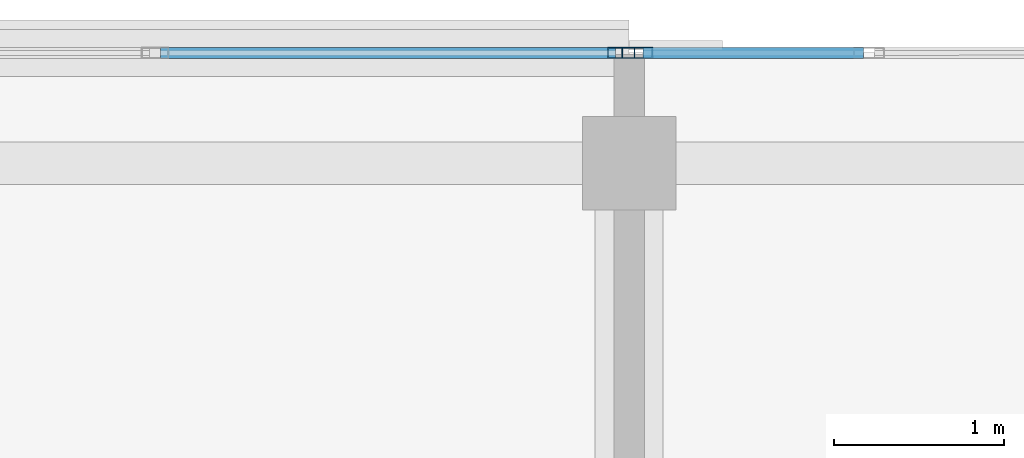
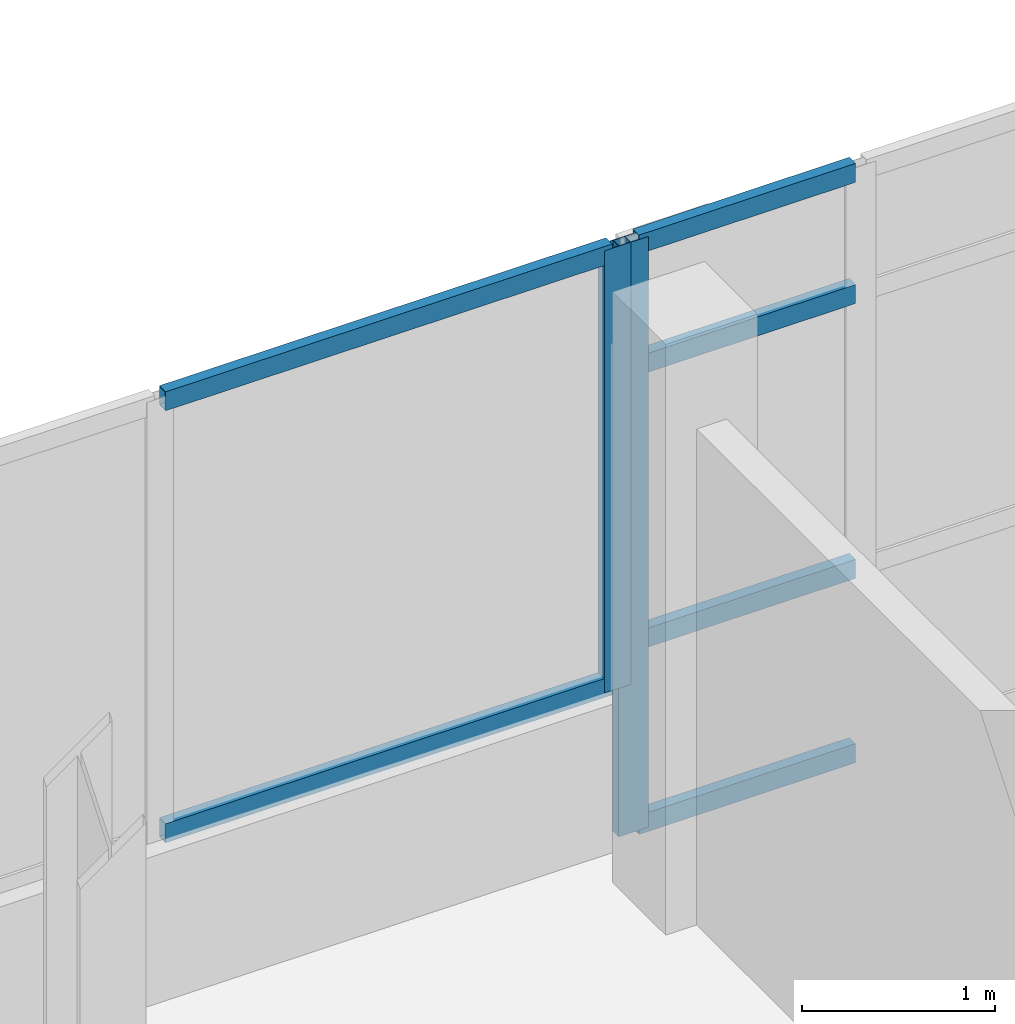
# One storey, part 27 of 67: 8 members, 2 elements without a shape of their own.
"""IFC4 building model written with IfcOpenShell, lengths in metres."""

import ifcopenshell
import ifcopenshell.guid

model = None  # the IFC model being written
_history = None  # IfcOwnerHistory: only IFC2X3 demands one
_inside = {}  # id of a spatial element -> (the spatial element, [elements in it])
_under = {}  # id of a project, library or spatial element -> (it, [spatial elements below it])
_declared = {}  # id of a project -> (the project, [libraries it declares])
_typed = {}  # id of a type object -> (the type object, [elements of that type])
_made_of = {}  # id of a material, layer set ... -> (it, [elements and type objects made of it])


def new_model(schema):
    """Start an empty IFC model of exactly this schema.

    Asked for "IFC4X3", IfcOpenShell would pick the latest addendum, in which some entities
    have other attributes; the version numbers below select the first issue.
    IFC2X3 requires an IfcOwnerHistory on every rooted entity: one is made here for all.
    """
    global model, _history
    if schema == "IFC4X3":
        model = ifcopenshell.file(schema_version=(4, 3, 0, 0))
    else:
        model = ifcopenshell.file(schema=schema)
    _inside.clear()
    _under.clear()
    _declared.clear()
    _typed.clear()
    _made_of.clear()
    _history = None
    if model.schema == "IFC2X3":
        org = make("IfcOrganization", Name="unknown")
        user = make(
            "IfcPersonAndOrganization",
            ThePerson=make("IfcPerson", FamilyName="unknown"),
            TheOrganization=org,
        )
        app = make(
            "IfcApplication",
            ApplicationDeveloper=org,
            Version="unknown",
            ApplicationFullName="unknown",
            ApplicationIdentifier="unknown",
        )
        _history = make(
            "IfcOwnerHistory",
            OwningUser=user,
            OwningApplication=app,
            ChangeAction="ADDED",
            CreationDate=0,
        )
    return model


def make(cls, **values):
    """One entity of the class cls with the attributes given. An attribute that is None is left unset."""
    return model.create_entity(
        cls, **{name: value for name, value in values.items() if value is not None}
    )


def rooted(cls, **values):
    """An entity with a GlobalId (a new one), such as an element, a storey or a relation."""
    return make(cls, GlobalId=ifcopenshell.guid.new(), OwnerHistory=_history, **values)


def si_unit(unit_type, name, prefix=None):
    """IfcSIUnit, for example si_unit("LENGTHUNIT", "METRE", prefix="MILLI")."""
    return make("IfcSIUnit", UnitType=unit_type, Prefix=prefix, Name=name)


def assignment(units):
    """IfcUnitAssignment: the units of a project."""
    return None if units is None else make("IfcUnitAssignment", Units=units)


def point(xyz):
    """IfcCartesianPoint."""
    return None if xyz is None else make("IfcCartesianPoint", Coordinates=xyz)


def direction(xyz):
    """IfcDirection."""
    return None if xyz is None else make("IfcDirection", DirectionRatios=xyz)


def frame(location, z_axis=None, x_axis=None):
    """IfcAxis2Placement3D, a coordinate frame: its origin and axes. An axis left out is left unset."""
    return make(
        "IfcAxis2Placement3D",
        Location=point(location),
        Axis=direction(z_axis),
        RefDirection=direction(x_axis),
    )


def frame_2d(location, x_axis=None):
    """IfcAxis2Placement2D, a coordinate frame in the plane: its origin and x axis."""
    return make(
        "IfcAxis2Placement2D", Location=point(location), RefDirection=direction(x_axis)
    )


def origin():
    """The frame at (0, 0, 0) with its axes left unset."""
    return frame((0.0, 0.0, 0.0))


def origin_2d():
    """The frame at (0, 0) in the plane with its x axis left unset."""
    return frame_2d((0.0, 0.0))


def place(relative_to, where):
    """IfcLocalPlacement: puts the frame where relative to a parent placement (None: the world)."""
    return make(
        "IfcLocalPlacement", PlacementRelTo=relative_to, RelativePlacement=where
    )


def context(
    kind, dimensions, precision=None, world=None, true_north=None, identifier=None
):
    """IfcGeometricRepresentationContext, for example the 3D "Model" context."""
    return make(
        "IfcGeometricRepresentationContext",
        ContextIdentifier=identifier,
        ContextType=kind,
        CoordinateSpaceDimension=dimensions,
        Precision=precision,
        WorldCoordinateSystem=world,
        TrueNorth=true_north,
    )


def subcontext(parent, identifier, kind, view, scale=None):
    """IfcGeometricRepresentationSubContext, for example "Body" below "Model"."""
    return make(
        "IfcGeometricRepresentationSubContext",
        ContextIdentifier=identifier,
        ContextType=kind,
        ParentContext=parent,
        TargetScale=scale,
        TargetView=view,
    )


def project(units=None, contexts=None):
    """IfcProject with its units and contexts."""
    return rooted(
        "IfcProject",
        Name="project",
        RepresentationContexts=contexts,
        UnitsInContext=assignment(units),
    )


def spatial(cls, under=None, at=None, **own):
    """A site, building, storey or space (cls), placed at a placement, below another one or the project."""
    s = rooted(cls, ObjectPlacement=at, **own)
    if under is not None:
        _under.setdefault(under.id(), (under, []))[1].append(s)
    return s


def profile(cls, at=None, kind="AREA", **sizes):
    """A parametric profile (cls). Its sizes go by their IFC names, for example OverallWidth=200.0."""
    return make(cls, ProfileType=kind, Position=at, **sizes)


def hollow_rectangle(**sizes):
    """IfcRectangleHollowProfileDef."""
    return profile("IfcRectangleHollowProfileDef", **sizes)


def extrude(swept, where, along, depth):
    """IfcExtrudedAreaSolid: the profile swept, set in the frame where, extruded along a direction by depth."""
    return make(
        "IfcExtrudedAreaSolid",
        SweptArea=swept,
        Position=where,
        ExtrudedDirection=direction(along),
        Depth=depth,
    )


def shape(context_of_items, identifier, shape_type, items):
    """IfcShapeRepresentation: the items that make up one representation, for example the "Body"."""
    return make(
        "IfcShapeRepresentation",
        ContextOfItems=context_of_items,
        RepresentationIdentifier=identifier,
        RepresentationType=shape_type,
        Items=items,
    )


def material(Name=None, Category=None):
    """IfcMaterial."""
    return make("IfcMaterial", Name=Name, Category=Category)


def material_profile(
    of_material, cross_section, Name=None, Category=None, Priority=None
):
    """IfcMaterialProfile: a cross section and its material."""
    return make(
        "IfcMaterialProfile",
        Name=Name,
        Material=of_material,
        Profile=cross_section,
        Priority=Priority,
        Category=Category,
    )


def profile_set(profiles, Name=None, composite=None):
    """IfcMaterialProfileSet."""
    return make(
        "IfcMaterialProfileSet",
        Name=Name,
        MaterialProfiles=profiles,
        CompositeProfile=composite,
    )


def made_of(thing, what):
    """Note that an element or type object is made of a material, layer set ...; save() writes the relation."""
    if what is not None:
        _made_of.setdefault(what.id(), (what, []))[1].append(thing)
    return thing


def type_object(cls, material=None, **own):
    """A type object (cls), such as IfcWallType, which elements share."""
    return made_of(rooted(cls, **own), material)


def element(
    cls,
    number,
    at=None,
    inside=None,
    cuts=None,
    type_object=None,
    material=None,
    context=None,
    identifier="Body",
    shape_type=None,
    held_by="IfcProductDefinitionShape",
    body=None,
    shapes=None,
    **own,
):
    """One element of the class cls, such as IfcWall. Its Tag is "e" and its number.

    at: its placement. inside: the storey or other place that contains it. cuts: it is an
    opening in that element (IfcRelVoidsElement). A single representation is given by context,
    identifier, shape_type and body (its items); several are given by shapes. held_by: the class
    of the entity that holds the representations. save() writes the other relations.
    """
    e = rooted(cls, Tag="e%d" % number, ObjectPlacement=at, **own)
    if body is not None:
        shapes = [shape(context, identifier, shape_type, body)]
    if shapes is not None:
        e.Representation = make(held_by, Representations=shapes)
    if inside is not None:
        _inside.setdefault(inside.id(), (inside, []))[1].append(e)
    if cuts is not None:
        rooted(
            "IfcRelVoidsElement", RelatingBuildingElement=cuts, RelatedOpeningElement=e
        )
    if type_object is not None:
        _typed.setdefault(type_object.id(), (type_object, []))[1].append(e)
    return made_of(e, material)


def aggregate(whole, parts):
    """IfcRelAggregates: a whole, such as a stair, and the parts it consists of."""
    return rooted("IfcRelAggregates", RelatingObject=whole, RelatedObjects=parts)


def save(model, path):
    """Write the relations noted so far, then the file.

    IfcRelAggregates (storeys below a building ...), IfcRelContainedInSpatialStructure (elements
    in a storey), IfcRelDefinesByType, IfcRelAssociatesMaterial and IfcRelDeclares: one each for
    every whole, place, type object, material and project.
    """
    for whole, parts in _under.values():
        aggregate(whole, parts)
    for where, things in _inside.values():
        rooted(
            "IfcRelContainedInSpatialStructure",
            RelatedElements=things,
            RelatingStructure=where,
        )
    for kind, things in _typed.values():
        rooted("IfcRelDefinesByType", RelatedObjects=things, RelatingType=kind)
    for what, things in _made_of.values():
        rooted("IfcRelAssociatesMaterial", RelatedObjects=things, RelatingMaterial=what)
    for by, libraries in _declared.values():
        rooted("IfcRelDeclares", RelatingContext=by, RelatedDefinitions=libraries)
    model.write(path)


model = new_model("IFC4")

# Units and contexts
model_context = context("Model", 3, precision=1e-05, world=origin(), true_north=direction((0.0, 1.0)))
body_context = subcontext(model_context, "Body", "Model", "MODEL_VIEW")
ifc_project = project(units=[si_unit("LENGTHUNIT", "METRE"), si_unit("AREAUNIT", "SQUARE_METRE"), si_unit("VOLUMEUNIT", "CUBIC_METRE"), si_unit("PLANEANGLEUNIT", "RADIAN"), si_unit("MASSUNIT", "GRAM", prefix="KILO")], contexts=[model_context])

# Site, building, storey
site_placement = place(None, origin())
site = spatial("IfcSite", under=ifc_project, at=site_placement, CompositionType="ELEMENT")
building_placement = place(site_placement, origin())
building = spatial("IfcBuilding", under=site, at=building_placement, Name="Selatvlak General Hospital", CompositionType="ELEMENT")
storey_placement = place(building_placement, frame((0.0, 0.0, 35.39990234375)))
storey = spatial("IfcBuildingStorey", under=building, at=storey_placement, Name="L08", CompositionType="ELEMENT", Elevation=35.39990234375)

# Curtain wall, member
ifc_material_1 = material(Name="Solar-control Low-E double glazing", Category="glass")
curtain_wall_type_1 = type_object("IfcCurtainWallType", Name="CW-CW-02", PredefinedType="USERDEFINED", material=ifc_material_1)
curtain_wall_1_placement = place(storey_placement, origin())
curtain_wall_1 = element("IfcCurtainWall", 1, at=curtain_wall_1_placement, inside=storey, type_object=curtain_wall_type_1, Name="Glazed facade curtain wall CW-L08-0689", ObjectType="UNITISED CURTAIN WALL", PredefinedType="USERDEFINED")
ifc_material_2 = material(Name="Dark anodised aluminium mullion", Category="aluminium")
ifc_material_profile_1 = material_profile(ifc_material_2, hollow_rectangle(XDim=0.06494140625, YDim=0.159912109375, WallThickness=0.00390625, at=origin_2d()), Name="AL-MUL 65x160x4")
ifc_profile_set_1 = profile_set([ifc_material_profile_1], Name="Dark anodised aluminium mullion")
member_type_1 = type_object("IfcMemberType", Name="CWM-01", PredefinedType="MULLION", material=ifc_profile_set_1)
member_1_placement = place(storey_placement, frame((89.952392578125, 119.9990234375, 0.940185546875), z_axis=(0.0, 0.0, 1.0), x_axis=(0.0, 1.0, 0.0)))
member_1 = element("IfcMember", 2, at=member_1_placement, type_object=member_type_1, Name="CW-02 mullion 4", PredefinedType="MULLION", context=body_context, shape_type="SweptSolid", body=[
    extrude(hollow_rectangle(XDim=0.06494140625, YDim=0.159912109375, WallThickness=0.00390625, at=origin_2d()), origin(), (0.0, 0.0, 1.0), 2.7998046875),
])

curtain_wall_type_2 = type_object("IfcCurtainWallType", Name="CW-CW-04", PredefinedType="USERDEFINED", material=ifc_material_1)
curtain_wall_2_placement = place(storey_placement, origin())
curtain_wall_2 = element("IfcCurtainWall", 3, at=curtain_wall_2_placement, inside=storey, type_object=curtain_wall_type_2, Name="Glazed facade curtain wall CW-L08-0690", ObjectType="STICK GLAZING WALL", PredefinedType="USERDEFINED")
ifc_material_profile_2 = material_profile(ifc_material_2, hollow_rectangle(XDim=0.06494140625, YDim=0.179931640625, WallThickness=0.00439453125, at=origin_2d()), Name="AL-MUL 65x180x4.5")
ifc_profile_set_2 = profile_set([ifc_material_profile_2], Name="Dark anodised aluminium mullion")
member_type_2 = type_object("IfcMemberType", Name="CWM-02", PredefinedType="MULLION", material=ifc_profile_set_2)
member_2_placement = place(storey_placement, frame((90.047607421875, 119.9990234375, 0.0), z_axis=(0.0, 0.0, 1.0), x_axis=(-0.000119488591, 0.999999992861, 0.0)))
member_2 = element("IfcMember", 4, at=member_2_placement, type_object=member_type_2, Name="CW-04 mullion 1", PredefinedType="MULLION", context=body_context, shape_type="SweptSolid", body=[
    extrude(hollow_rectangle(XDim=0.06494140625, YDim=0.179931640625, WallThickness=0.00439453125, at=origin_2d()), origin(), (0.0, 0.0, 1.0), 3.739990234375),
])

# Member
ifc_material_profile_3 = material_profile(ifc_material_2, hollow_rectangle(XDim=0.06494140625, YDim=0.1201171875, WallThickness=0.00390625, at=origin_2d()), Name="AL-TRN 65x120x4")
ifc_profile_set_3 = profile_set([ifc_material_profile_3], Name="Dark anodised aluminium mullion")
member_type_3 = type_object("IfcMemberType", Name="CWT-01", PredefinedType="USERDEFINED", material=ifc_profile_set_3)
member_3_placement = place(storey_placement, frame((87.244140625, 119.9990234375, 0.97265625), z_axis=(1.0, 0.0, 0.0), x_axis=(0.0, 1.0, 0.0)))
member_3 = element("IfcMember", 5, at=member_3_placement, type_object=member_type_3, Name="CW-02 transom 3.1", ObjectType="TRANSOM", PredefinedType="USERDEFINED", context=body_context, shape_type="SweptSolid", body=[
    extrude(hollow_rectangle(XDim=0.06494140625, YDim=0.1201171875, WallThickness=0.00390625, at=origin_2d()), origin(), (0.0, 0.0, 1.0), 2.67578125),
])

member_4_placement = place(storey_placement, frame((87.244140625, 119.9990234375, 3.70751953125), z_axis=(1.0, 0.0, 0.0), x_axis=(0.0, 1.0, 0.0)))
member_4 = element("IfcMember", 6, at=member_4_placement, type_object=member_type_3, Name="CW-02 transom 3.2", ObjectType="TRANSOM", PredefinedType="USERDEFINED", context=body_context, shape_type="SweptSolid", body=[
    extrude(hollow_rectangle(XDim=0.06494140625, YDim=0.1201171875, WallThickness=0.00390625, at=origin_2d()), origin(), (0.0, 0.0, 1.0), 2.67578125),
])

aggregate(curtain_wall_1, [member_1, member_3, member_4])

member_5_placement = place(storey_placement, frame((90.080078125, 119.9990234375, 0.03271484375), z_axis=(0.999999982294, 0.000188182157, 0.0), x_axis=(-0.000188182157, 0.999999982294, 0.0)))
member_5 = element("IfcMember", 7, at=member_5_placement, type_object=member_type_3, Name="CW-04 transom 1.1", ObjectType="TRANSOM", PredefinedType="USERDEFINED", context=body_context, shape_type="SweptSolid", body=[
    extrude(hollow_rectangle(XDim=0.06494140625, YDim=0.1201171875, WallThickness=0.00390625, at=origin_2d()), origin(), (0.0, 0.0, 1.0), 1.29736328125),
])

member_6_placement = place(storey_placement, frame((90.080078125, 119.9990234375, 1.2001953125), z_axis=(0.999999982294, 0.000188182157, 0.0), x_axis=(-0.000188182157, 0.999999982294, 0.0)))
member_6 = element("IfcMember", 8, at=member_6_placement, type_object=member_type_3, Name="CW-04 transom 1.2", ObjectType="TRANSOM", PredefinedType="USERDEFINED", context=body_context, shape_type="SweptSolid", body=[
    extrude(hollow_rectangle(XDim=0.06494140625, YDim=0.1201171875, WallThickness=0.00390625, at=origin_2d()), origin(), (0.0, 0.0, 1.0), 1.29736328125),
])

member_7_placement = place(storey_placement, frame((90.080078125, 119.9990234375, 2.940185546875), z_axis=(0.999999982294, 0.000188182157, 0.0), x_axis=(-0.000188182157, 0.999999982294, 0.0)))
member_7 = element("IfcMember", 9, at=member_7_placement, type_object=member_type_3, Name="CW-04 transom 1.3", ObjectType="TRANSOM", PredefinedType="USERDEFINED", context=body_context, shape_type="SweptSolid", body=[
    extrude(hollow_rectangle(XDim=0.06494140625, YDim=0.1201171875, WallThickness=0.00390625, at=origin_2d()), origin(), (0.0, 0.0, 1.0), 1.29736328125),
])

member_8_placement = place(storey_placement, frame((90.080078125, 119.9990234375, 3.70751953125), z_axis=(0.999999982294, 0.000188182157, 0.0), x_axis=(-0.000188182157, 0.999999982294, 0.0)))
member_8 = element("IfcMember", 10, at=member_8_placement, type_object=member_type_3, Name="CW-04 transom 1.4", ObjectType="TRANSOM", PredefinedType="USERDEFINED", context=body_context, shape_type="SweptSolid", body=[
    extrude(hollow_rectangle(XDim=0.06494140625, YDim=0.1201171875, WallThickness=0.00390625, at=origin_2d()), origin(), (0.0, 0.0, 1.0), 1.29736328125),
])

aggregate(curtain_wall_2, [member_2, member_5, member_6, member_7, member_8])

save(model, "model.ifc")
